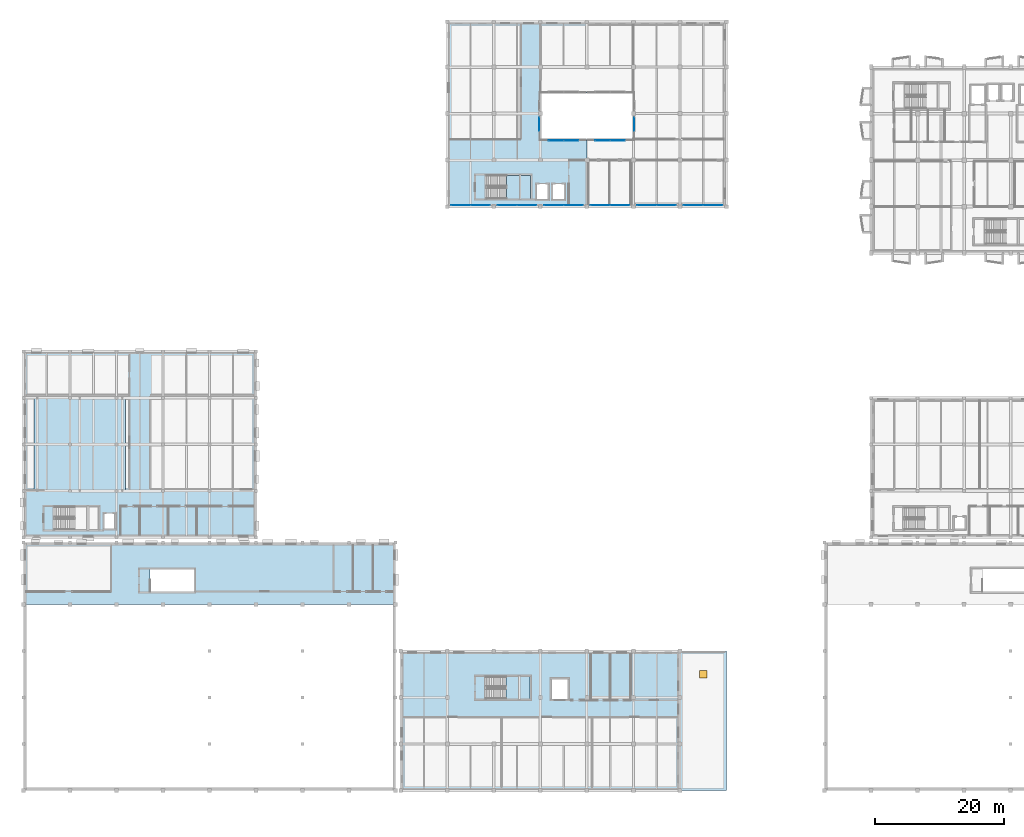
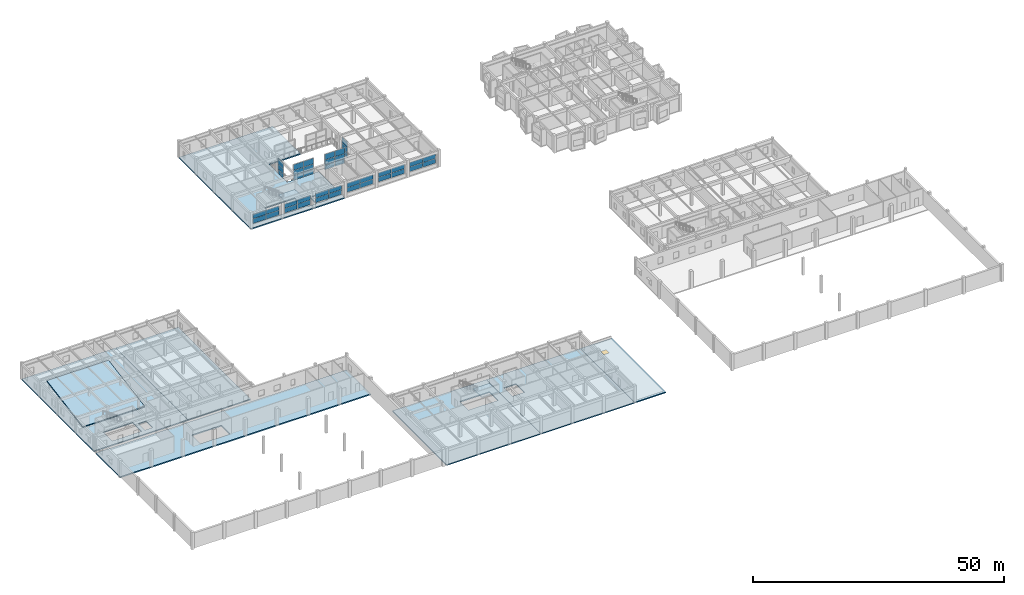
# One storey, part 23 of 49: 42 plates, 10 slabs, 1 window, 1 opening, 12 elements without a shape of their own.
"""IFC4 building model written with IfcOpenShell, lengths in metres."""

from ifc_helpers import new_model, si_unit, direction, frame, origin, origin_2d, place, context, subcontext, project, spatial, polyline, rectangle, outline, extrude, material, layer, layer_set, type_object, element, fill, aggregate, save


model = new_model("IFC4")

# Units and contexts
model_context = context("Model", 3, precision=1e-05, world=origin(), true_north=direction((0.0, 1.0)))
body_context = subcontext(model_context, "Body", "Model", "MODEL_VIEW")
ifc_project = project(units=[si_unit("LENGTHUNIT", "METRE"), si_unit("AREAUNIT", "SQUARE_METRE"), si_unit("VOLUMEUNIT", "CUBIC_METRE"), si_unit("PLANEANGLEUNIT", "RADIAN"), si_unit("MASSUNIT", "GRAM", prefix="KILO")], contexts=[model_context])

# Site, building, storey
site_placement = place(None, origin())
site = spatial("IfcSite", under=ifc_project, at=site_placement, CompositionType="ELEMENT")
building_placement = place(site_placement, origin())
building = spatial("IfcBuilding", under=site, at=building_placement, Name="Bramveld Media Centre", CompositionType="ELEMENT")
storey_placement = place(building_placement, frame((0.0, 0.0, 9.60009765625)))
storey = spatial("IfcBuildingStorey", under=building, at=storey_placement, Name="L02", CompositionType="ELEMENT", Elevation=9.60009765625)

# Curtain wall, plates
ifc_material_1 = material(Name="Thermally broken anodized bronze aluminium unitized curtain wall with solar-control triple glazing", Category="aluminium")
curtain_wall_type_1 = type_object("IfcCurtainWallType", Name="CW-FACV6-6100x2350", PredefinedType="NOTDEFINED", material=ifc_material_1)
curtain_wall_1_placement = place(storey_placement, origin())
curtain_wall_1 = element("IfcCurtainWall", 1, at=curtain_wall_1_placement, inside=storey, type_object=curtain_wall_type_1, Name="V6 L02 S curtain wall bay 1", PredefinedType="NOTDEFINED")
ifc_material_2 = material(Name="Solar-control triple insulating safety glass unit", Category="glass")
ifc_layer_1 = layer(ifc_material_2, 0.028076171875)
ifc_layer_set_1 = layer_set([ifc_layer_1], Name="Solar-control triple insulating safety glass unit")
plate_type_1 = type_object("IfcPlateType", Name="CW-PAN-EXT", PredefinedType="CURTAIN_PANEL", material=ifc_layer_set_1)
plate_1_placement = place(storey_placement, frame((67.68994140625, 90.610107421875, 0.909912109375), z_axis=(0.0, 0.0, 1.0), x_axis=(1.0, 0.0, 0.0)))
plate_1 = element("IfcPlate", 2, at=plate_1_placement, type_object=plate_type_1, Name="CW-FA-6123 panel 1.1", PredefinedType="CURTAIN_PANEL", context=body_context, shape_type="SweptSolid", body=[
    extrude(rectangle(XDim=2.9599609375, YDim=0.028076171875, at=origin_2d()), origin(), (0.0, 0.0, 1.0), 1.0849609375),
])
plate_2_placement = place(storey_placement, frame((67.68994140625, 90.610107421875, 2.054931640625), z_axis=(0.0, 0.0, 1.0), x_axis=(1.0, 0.0, 0.0)))
plate_2 = element("IfcPlate", 3, at=plate_2_placement, type_object=plate_type_1, Name="CW-FA-6123 panel 1.2", PredefinedType="CURTAIN_PANEL", context=body_context, shape_type="SweptSolid", body=[
    extrude(rectangle(XDim=2.9599609375, YDim=0.028076171875, at=origin_2d()), origin(), (0.0, 0.0, 1.0), 1.0849609375),
])
plate_3_placement = place(storey_placement, frame((70.7099609375, 90.610107421875, 0.909912109375), z_axis=(0.0, 0.0, 1.0), x_axis=(1.0, 0.0, 0.0)))
plate_3 = element("IfcPlate", 4, at=plate_3_placement, type_object=plate_type_1, Name="CW-FA-6123 panel 2.1", PredefinedType="CURTAIN_PANEL", context=body_context, shape_type="SweptSolid", body=[
    extrude(rectangle(XDim=2.9599609375, YDim=0.028076171875, at=origin_2d()), origin(), (0.0, 0.0, 1.0), 1.0849609375),
])
plate_4_placement = place(storey_placement, frame((70.7099609375, 90.610107421875, 2.054931640625), z_axis=(0.0, 0.0, 1.0), x_axis=(1.0, 0.0, 0.0)))
plate_4 = element("IfcPlate", 5, at=plate_4_placement, type_object=plate_type_1, Name="CW-FA-6123 panel 2.2", PredefinedType="CURTAIN_PANEL", context=body_context, shape_type="SweptSolid", body=[
    extrude(rectangle(XDim=2.9599609375, YDim=0.028076171875, at=origin_2d()), origin(), (0.0, 0.0, 1.0), 1.0849609375),
])
aggregate(curtain_wall_1, [plate_1, plate_2, plate_3, plate_4])

curtain_wall_2_placement = place(storey_placement, origin())
curtain_wall_2 = element("IfcCurtainWall", 6, at=curtain_wall_2_placement, inside=storey, type_object=curtain_wall_type_1, Name="V6 L02 S curtain wall bay 2", PredefinedType="NOTDEFINED")
plate_5_placement = place(storey_placement, frame((74.889892578125, 90.610107421875, 0.909912109375), z_axis=(0.0, 0.0, 1.0), x_axis=(1.0, 0.0, 0.0)))
plate_5 = element("IfcPlate", 7, at=plate_5_placement, type_object=plate_type_1, Name="CW-FA-6123 panel 1.1", PredefinedType="CURTAIN_PANEL", context=body_context, shape_type="SweptSolid", body=[
    extrude(rectangle(XDim=2.9599609375, YDim=0.028076171875, at=origin_2d()), origin(), (0.0, 0.0, 1.0), 1.0849609375),
])
plate_6_placement = place(storey_placement, frame((74.889892578125, 90.610107421875, 2.054931640625), z_axis=(0.0, 0.0, 1.0), x_axis=(1.0, 0.0, 0.0)))
plate_6 = element("IfcPlate", 8, at=plate_6_placement, type_object=plate_type_1, Name="CW-FA-6123 panel 1.2", PredefinedType="CURTAIN_PANEL", context=body_context, shape_type="SweptSolid", body=[
    extrude(rectangle(XDim=2.9599609375, YDim=0.028076171875, at=origin_2d()), origin(), (0.0, 0.0, 1.0), 1.0849609375),
])
plate_7_placement = place(storey_placement, frame((77.909912109375, 90.610107421875, 0.909912109375), z_axis=(0.0, 0.0, 1.0), x_axis=(1.0, 0.0, 0.0)))
plate_7 = element("IfcPlate", 9, at=plate_7_placement, type_object=plate_type_1, Name="CW-FA-6123 panel 2.1", PredefinedType="CURTAIN_PANEL", context=body_context, shape_type="SweptSolid", body=[
    extrude(rectangle(XDim=2.9599609375, YDim=0.028076171875, at=origin_2d()), origin(), (0.0, 0.0, 1.0), 1.0849609375),
])
plate_8_placement = place(storey_placement, frame((77.909912109375, 90.610107421875, 2.054931640625), z_axis=(0.0, 0.0, 1.0), x_axis=(1.0, 0.0, 0.0)))
plate_8 = element("IfcPlate", 10, at=plate_8_placement, type_object=plate_type_1, Name="CW-FA-6123 panel 2.2", PredefinedType="CURTAIN_PANEL", context=body_context, shape_type="SweptSolid", body=[
    extrude(rectangle(XDim=2.9599609375, YDim=0.028076171875, at=origin_2d()), origin(), (0.0, 0.0, 1.0), 1.0849609375),
])
aggregate(curtain_wall_2, [plate_5, plate_6, plate_7, plate_8])

curtain_wall_3_placement = place(storey_placement, origin())
curtain_wall_3 = element("IfcCurtainWall", 11, at=curtain_wall_3_placement, inside=storey, type_object=curtain_wall_type_1, Name="V6 L02 S curtain wall bay 3", PredefinedType="NOTDEFINED")
plate_9_placement = place(storey_placement, frame((82.090087890625, 90.610107421875, 0.909912109375), z_axis=(0.0, 0.0, 1.0), x_axis=(1.0, 0.0, 0.0)))
plate_9 = element("IfcPlate", 12, at=plate_9_placement, type_object=plate_type_1, Name="CW-FA-6123 panel 1.1", PredefinedType="CURTAIN_PANEL", context=body_context, shape_type="SweptSolid", body=[
    extrude(rectangle(XDim=2.9599609375, YDim=0.028076171875, at=origin_2d()), origin(), (0.0, 0.0, 1.0), 1.0849609375),
])
plate_10_placement = place(storey_placement, frame((82.090087890625, 90.610107421875, 2.054931640625), z_axis=(0.0, 0.0, 1.0), x_axis=(1.0, 0.0, 0.0)))
plate_10 = element("IfcPlate", 13, at=plate_10_placement, type_object=plate_type_1, Name="CW-FA-6123 panel 1.2", PredefinedType="CURTAIN_PANEL", context=body_context, shape_type="SweptSolid", body=[
    extrude(rectangle(XDim=2.9599609375, YDim=0.028076171875, at=origin_2d()), origin(), (0.0, 0.0, 1.0), 1.0849609375),
])
plate_11_placement = place(storey_placement, frame((85.110107421875, 90.610107421875, 0.909912109375), z_axis=(0.0, 0.0, 1.0), x_axis=(1.0, 0.0, 0.0)))
plate_11 = element("IfcPlate", 14, at=plate_11_placement, type_object=plate_type_1, Name="CW-FA-6123 panel 2.1", PredefinedType="CURTAIN_PANEL", context=body_context, shape_type="SweptSolid", body=[
    extrude(rectangle(XDim=2.9599609375, YDim=0.028076171875, at=origin_2d()), origin(), (0.0, 0.0, 1.0), 1.0849609375),
])
plate_12_placement = place(storey_placement, frame((85.110107421875, 90.610107421875, 2.054931640625), z_axis=(0.0, 0.0, 1.0), x_axis=(1.0, 0.0, 0.0)))
plate_12 = element("IfcPlate", 15, at=plate_12_placement, type_object=plate_type_1, Name="CW-FA-6123 panel 2.2", PredefinedType="CURTAIN_PANEL", context=body_context, shape_type="SweptSolid", body=[
    extrude(rectangle(XDim=2.9599609375, YDim=0.028076171875, at=origin_2d()), origin(), (0.0, 0.0, 1.0), 1.0849609375),
])
aggregate(curtain_wall_3, [plate_9, plate_10, plate_11, plate_12])

curtain_wall_4_placement = place(storey_placement, origin())
curtain_wall_4 = element("IfcCurtainWall", 16, at=curtain_wall_4_placement, inside=storey, type_object=curtain_wall_type_1, Name="V6 L02 S curtain wall bay 4", PredefinedType="NOTDEFINED")
plate_13_placement = place(storey_placement, frame((89.2900390625, 90.610107421875, 0.909912109375), z_axis=(0.0, 0.0, 1.0), x_axis=(1.0, 0.0, 0.0)))
plate_13 = element("IfcPlate", 17, at=plate_13_placement, type_object=plate_type_1, Name="CW-FA-6123 panel 1.1", PredefinedType="CURTAIN_PANEL", context=body_context, shape_type="SweptSolid", body=[
    extrude(rectangle(XDim=2.9599609375, YDim=0.028076171875, at=origin_2d()), origin(), (0.0, 0.0, 1.0), 1.0849609375),
])
plate_14_placement = place(storey_placement, frame((89.2900390625, 90.610107421875, 2.054931640625), z_axis=(0.0, 0.0, 1.0), x_axis=(1.0, 0.0, 0.0)))
plate_14 = element("IfcPlate", 18, at=plate_14_placement, type_object=plate_type_1, Name="CW-FA-6123 panel 1.2", PredefinedType="CURTAIN_PANEL", context=body_context, shape_type="SweptSolid", body=[
    extrude(rectangle(XDim=2.9599609375, YDim=0.028076171875, at=origin_2d()), origin(), (0.0, 0.0, 1.0), 1.0849609375),
])
plate_15_placement = place(storey_placement, frame((92.31005859375, 90.610107421875, 0.909912109375), z_axis=(0.0, 0.0, 1.0), x_axis=(1.0, 0.0, 0.0)))
plate_15 = element("IfcPlate", 19, at=plate_15_placement, type_object=plate_type_1, Name="CW-FA-6123 panel 2.1", PredefinedType="CURTAIN_PANEL", context=body_context, shape_type="SweptSolid", body=[
    extrude(rectangle(XDim=2.9599609375, YDim=0.028076171875, at=origin_2d()), origin(), (0.0, 0.0, 1.0), 1.0849609375),
])
plate_16_placement = place(storey_placement, frame((92.31005859375, 90.610107421875, 2.054931640625), z_axis=(0.0, 0.0, 1.0), x_axis=(1.0, 0.0, 0.0)))
plate_16 = element("IfcPlate", 20, at=plate_16_placement, type_object=plate_type_1, Name="CW-FA-6123 panel 2.2", PredefinedType="CURTAIN_PANEL", context=body_context, shape_type="SweptSolid", body=[
    extrude(rectangle(XDim=2.9599609375, YDim=0.028076171875, at=origin_2d()), origin(), (0.0, 0.0, 1.0), 1.0849609375),
])
aggregate(curtain_wall_4, [plate_13, plate_14, plate_15, plate_16])

curtain_wall_5_placement = place(storey_placement, origin())
curtain_wall_5 = element("IfcCurtainWall", 21, at=curtain_wall_5_placement, inside=storey, type_object=curtain_wall_type_1, Name="V6 L02 S curtain wall bay 5", PredefinedType="NOTDEFINED")
plate_17_placement = place(storey_placement, frame((96.489990234375, 90.610107421875, 0.909912109375), z_axis=(0.0, 0.0, 1.0), x_axis=(1.0, 0.0, 0.0)))
plate_17 = element("IfcPlate", 22, at=plate_17_placement, type_object=plate_type_1, Name="CW-FA-6123 panel 1.1", PredefinedType="CURTAIN_PANEL", context=body_context, shape_type="SweptSolid", body=[
    extrude(rectangle(XDim=2.9599609375, YDim=0.028076171875, at=origin_2d()), origin(), (0.0, 0.0, 1.0), 1.0849609375),
])
plate_18_placement = place(storey_placement, frame((96.489990234375, 90.610107421875, 2.054931640625), z_axis=(0.0, 0.0, 1.0), x_axis=(1.0, 0.0, 0.0)))
plate_18 = element("IfcPlate", 23, at=plate_18_placement, type_object=plate_type_1, Name="CW-FA-6123 panel 1.2", PredefinedType="CURTAIN_PANEL", context=body_context, shape_type="SweptSolid", body=[
    extrude(rectangle(XDim=2.9599609375, YDim=0.028076171875, at=origin_2d()), origin(), (0.0, 0.0, 1.0), 1.0849609375),
])
plate_19_placement = place(storey_placement, frame((99.510009765625, 90.610107421875, 0.909912109375), z_axis=(0.0, 0.0, 1.0), x_axis=(1.0, 0.0, 0.0)))
plate_19 = element("IfcPlate", 24, at=plate_19_placement, type_object=plate_type_1, Name="CW-FA-6123 panel 2.1", PredefinedType="CURTAIN_PANEL", context=body_context, shape_type="SweptSolid", body=[
    extrude(rectangle(XDim=2.9599609375, YDim=0.028076171875, at=origin_2d()), origin(), (0.0, 0.0, 1.0), 1.0849609375),
])
plate_20_placement = place(storey_placement, frame((99.510009765625, 90.610107421875, 2.054931640625), z_axis=(0.0, 0.0, 1.0), x_axis=(1.0, 0.0, 0.0)))
plate_20 = element("IfcPlate", 25, at=plate_20_placement, type_object=plate_type_1, Name="CW-FA-6123 panel 2.2", PredefinedType="CURTAIN_PANEL", context=body_context, shape_type="SweptSolid", body=[
    extrude(rectangle(XDim=2.9599609375, YDim=0.028076171875, at=origin_2d()), origin(), (0.0, 0.0, 1.0), 1.0849609375),
])
aggregate(curtain_wall_5, [plate_17, plate_18, plate_19, plate_20])

curtain_wall_6_placement = place(storey_placement, origin())
curtain_wall_6 = element("IfcCurtainWall", 26, at=curtain_wall_6_placement, inside=storey, type_object=curtain_wall_type_1, Name="V6 L02 S curtain wall bay 6", PredefinedType="NOTDEFINED")
plate_21_placement = place(storey_placement, frame((103.68994140625, 90.610107421875, 0.909912109375), z_axis=(0.0, 0.0, 1.0), x_axis=(1.0, 0.0, 0.0)))
plate_21 = element("IfcPlate", 27, at=plate_21_placement, type_object=plate_type_1, Name="CW-FA-6123 panel 1.1", PredefinedType="CURTAIN_PANEL", context=body_context, shape_type="SweptSolid", body=[
    extrude(rectangle(XDim=2.9599609375, YDim=0.028076171875, at=origin_2d()), origin(), (0.0, 0.0, 1.0), 1.0849609375),
])
plate_22_placement = place(storey_placement, frame((103.68994140625, 90.610107421875, 2.054931640625), z_axis=(0.0, 0.0, 1.0), x_axis=(1.0, 0.0, 0.0)))
plate_22 = element("IfcPlate", 28, at=plate_22_placement, type_object=plate_type_1, Name="CW-FA-6123 panel 1.2", PredefinedType="CURTAIN_PANEL", context=body_context, shape_type="SweptSolid", body=[
    extrude(rectangle(XDim=2.9599609375, YDim=0.028076171875, at=origin_2d()), origin(), (0.0, 0.0, 1.0), 1.0849609375),
])
plate_23_placement = place(storey_placement, frame((106.7099609375, 90.610107421875, 0.909912109375), z_axis=(0.0, 0.0, 1.0), x_axis=(1.0, 0.0, 0.0)))
plate_23 = element("IfcPlate", 29, at=plate_23_placement, type_object=plate_type_1, Name="CW-FA-6123 panel 2.1", PredefinedType="CURTAIN_PANEL", context=body_context, shape_type="SweptSolid", body=[
    extrude(rectangle(XDim=2.9599609375, YDim=0.028076171875, at=origin_2d()), origin(), (0.0, 0.0, 1.0), 1.0849609375),
])
plate_24_placement = place(storey_placement, frame((106.7099609375, 90.610107421875, 2.054931640625), z_axis=(0.0, 0.0, 1.0), x_axis=(1.0, 0.0, 0.0)))
plate_24 = element("IfcPlate", 30, at=plate_24_placement, type_object=plate_type_1, Name="CW-FA-6123 panel 2.2", PredefinedType="CURTAIN_PANEL", context=body_context, shape_type="SweptSolid", body=[
    extrude(rectangle(XDim=2.9599609375, YDim=0.028076171875, at=origin_2d()), origin(), (0.0, 0.0, 1.0), 1.0849609375),
])
aggregate(curtain_wall_6, [plate_21, plate_22, plate_23, plate_24])

ifc_material_3 = material(Name="Thermally broken anodized bronze aluminium unitized curtain wall with solar-control triple glazing", Category="aluminium")
curtain_wall_type_2 = type_object("IfcCurtainWallType", Name="CW-ATR-4700x3880", PredefinedType="NOTDEFINED", material=ifc_material_3)
curtain_wall_7_placement = place(storey_placement, origin())
curtain_wall_7 = element("IfcCurtainWall", 31, at=curtain_wall_7_placement, inside=storey, type_object=curtain_wall_type_2, Name="V6 L02 atrium acoustic screen S1-1", PredefinedType="NOTDEFINED")
ifc_material_4 = material(Name="Laminated acoustic safety glass panel", Category="glass")
ifc_layer_2 = layer(ifc_material_4, 0.028076171875)
ifc_layer_set_2 = layer_set([ifc_layer_2], Name="Laminated acoustic safety glass panel")
plate_type_2 = type_object("IfcPlateType", Name="CW-PAN-INT", PredefinedType="CURTAIN_PANEL", material=ifc_layer_set_2)
plate_25_placement = place(storey_placement, frame((82.43994140625, 100.64990234375, 0.059814453125), z_axis=(0.0, 0.0, 1.0), x_axis=(1.0, 0.0, 0.0)))
plate_25 = element("IfcPlate", 32, at=plate_25_placement, type_object=plate_type_2, Name="CW-AT-4738 panel 1.1", PredefinedType="CURTAIN_PANEL", context=body_context, shape_type="SweptSolid", body=[
    extrude(rectangle(XDim=2.260009765625, YDim=0.028076171875, at=origin_2d()), origin(), (0.0, 0.0, 1.0), 1.06005859375),
])
plate_26_placement = place(storey_placement, frame((82.43994140625, 100.64990234375, 1.1796875), z_axis=(0.0, 0.0, 1.0), x_axis=(1.0, 0.0, 0.0)))
plate_26 = element("IfcPlate", 33, at=plate_26_placement, type_object=plate_type_2, Name="CW-AT-4738 panel 1.2", PredefinedType="CURTAIN_PANEL", context=body_context, shape_type="SweptSolid", body=[
    extrude(rectangle(XDim=2.260009765625, YDim=0.028076171875, at=origin_2d()), origin(), (0.0, 0.0, 1.0), 1.196044921875),
])
plate_27_placement = place(storey_placement, frame((82.43994140625, 100.64990234375, 2.43603515625), z_axis=(0.0, 0.0, 1.0), x_axis=(1.0, 0.0, 0.0)))
plate_27 = element("IfcPlate", 34, at=plate_27_placement, type_object=plate_type_2, Name="CW-AT-4738 panel 1.3", PredefinedType="CURTAIN_PANEL", context=body_context, shape_type="SweptSolid", body=[
    extrude(rectangle(XDim=2.260009765625, YDim=0.028076171875, at=origin_2d()), origin(), (0.0, 0.0, 1.0), 1.384033203125),
])
plate_28_placement = place(storey_placement, frame((84.760009765625, 100.64990234375, 0.059814453125), z_axis=(0.0, 0.0, 1.0), x_axis=(1.0, 0.0, 0.0)))
plate_28 = element("IfcPlate", 35, at=plate_28_placement, type_object=plate_type_2, Name="CW-AT-4738 panel 2.1", PredefinedType="CURTAIN_PANEL", context=body_context, shape_type="SweptSolid", body=[
    extrude(rectangle(XDim=2.260009765625, YDim=0.028076171875, at=origin_2d()), origin(), (0.0, 0.0, 1.0), 1.06005859375),
])
plate_29_placement = place(storey_placement, frame((84.760009765625, 100.64990234375, 1.1796875), z_axis=(0.0, 0.0, 1.0), x_axis=(1.0, 0.0, 0.0)))
plate_29 = element("IfcPlate", 36, at=plate_29_placement, type_object=plate_type_2, Name="CW-AT-4738 panel 2.2", PredefinedType="CURTAIN_PANEL", context=body_context, shape_type="SweptSolid", body=[
    extrude(rectangle(XDim=2.260009765625, YDim=0.028076171875, at=origin_2d()), origin(), (0.0, 0.0, 1.0), 1.196044921875),
])
plate_30_placement = place(storey_placement, frame((84.760009765625, 100.64990234375, 2.43603515625), z_axis=(0.0, 0.0, 1.0), x_axis=(1.0, 0.0, 0.0)))
plate_30 = element("IfcPlate", 37, at=plate_30_placement, type_object=plate_type_2, Name="CW-AT-4738 panel 2.3", PredefinedType="CURTAIN_PANEL", context=body_context, shape_type="SweptSolid", body=[
    extrude(rectangle(XDim=2.260009765625, YDim=0.028076171875, at=origin_2d()), origin(), (0.0, 0.0, 1.0), 1.384033203125),
])
aggregate(curtain_wall_7, [plate_25, plate_26, plate_27, plate_28, plate_29, plate_30])

curtain_wall_8_placement = place(storey_placement, origin())
curtain_wall_8 = element("IfcCurtainWall", 38, at=curtain_wall_8_placement, inside=storey, type_object=curtain_wall_type_2, Name="V6 L02 atrium acoustic screen S2-1", PredefinedType="NOTDEFINED")
plate_31_placement = place(storey_placement, frame((89.639892578125, 100.64990234375, 0.059814453125), z_axis=(0.0, 0.0, 1.0), x_axis=(1.0, 0.0, 0.0)))
plate_31 = element("IfcPlate", 39, at=plate_31_placement, type_object=plate_type_2, Name="CW-AT-4738 panel 1.1", PredefinedType="CURTAIN_PANEL", context=body_context, shape_type="SweptSolid", body=[
    extrude(rectangle(XDim=2.260009765625, YDim=0.028076171875, at=origin_2d()), origin(), (0.0, 0.0, 1.0), 1.06005859375),
])
plate_32_placement = place(storey_placement, frame((89.639892578125, 100.64990234375, 1.1796875), z_axis=(0.0, 0.0, 1.0), x_axis=(1.0, 0.0, 0.0)))
plate_32 = element("IfcPlate", 40, at=plate_32_placement, type_object=plate_type_2, Name="CW-AT-4738 panel 1.2", PredefinedType="CURTAIN_PANEL", context=body_context, shape_type="SweptSolid", body=[
    extrude(rectangle(XDim=2.260009765625, YDim=0.028076171875, at=origin_2d()), origin(), (0.0, 0.0, 1.0), 1.196044921875),
])
plate_33_placement = place(storey_placement, frame((89.639892578125, 100.64990234375, 2.43603515625), z_axis=(0.0, 0.0, 1.0), x_axis=(1.0, 0.0, 0.0)))
plate_33 = element("IfcPlate", 41, at=plate_33_placement, type_object=plate_type_2, Name="CW-AT-4738 panel 1.3", PredefinedType="CURTAIN_PANEL", context=body_context, shape_type="SweptSolid", body=[
    extrude(rectangle(XDim=2.260009765625, YDim=0.028076171875, at=origin_2d()), origin(), (0.0, 0.0, 1.0), 1.384033203125),
])
plate_34_placement = place(storey_placement, frame((91.9599609375, 100.64990234375, 0.059814453125), z_axis=(0.0, 0.0, 1.0), x_axis=(1.0, 0.0, 0.0)))
plate_34 = element("IfcPlate", 42, at=plate_34_placement, type_object=plate_type_2, Name="CW-AT-4738 panel 2.1", PredefinedType="CURTAIN_PANEL", context=body_context, shape_type="SweptSolid", body=[
    extrude(rectangle(XDim=2.260009765625, YDim=0.028076171875, at=origin_2d()), origin(), (0.0, 0.0, 1.0), 1.06005859375),
])
plate_35_placement = place(storey_placement, frame((91.9599609375, 100.64990234375, 1.1796875), z_axis=(0.0, 0.0, 1.0), x_axis=(1.0, 0.0, 0.0)))
plate_35 = element("IfcPlate", 43, at=plate_35_placement, type_object=plate_type_2, Name="CW-AT-4738 panel 2.2", PredefinedType="CURTAIN_PANEL", context=body_context, shape_type="SweptSolid", body=[
    extrude(rectangle(XDim=2.260009765625, YDim=0.028076171875, at=origin_2d()), origin(), (0.0, 0.0, 1.0), 1.196044921875),
])
plate_36_placement = place(storey_placement, frame((91.9599609375, 100.64990234375, 2.43603515625), z_axis=(0.0, 0.0, 1.0), x_axis=(1.0, 0.0, 0.0)))
plate_36 = element("IfcPlate", 44, at=plate_36_placement, type_object=plate_type_2, Name="CW-AT-4738 panel 2.3", PredefinedType="CURTAIN_PANEL", context=body_context, shape_type="SweptSolid", body=[
    extrude(rectangle(XDim=2.260009765625, YDim=0.028076171875, at=origin_2d()), origin(), (0.0, 0.0, 1.0), 1.384033203125),
])
aggregate(curtain_wall_8, [plate_31, plate_32, plate_33, plate_34, plate_35, plate_36])

ifc_material_5 = material(Name="Thermally broken anodized bronze aluminium unitized curtain wall with solar-control triple glazing", Category="aluminium")
curtain_wall_type_3 = type_object("IfcCurtainWallType", Name="CW-ATR-2200x3880", PredefinedType="NOTDEFINED", material=ifc_material_5)
curtain_wall_9_placement = place(storey_placement, origin())
curtain_wall_9 = element("IfcCurtainWall", 45, at=curtain_wall_9_placement, inside=storey, type_object=curtain_wall_type_3, Name="V6 L02 atrium acoustic screen W-1", PredefinedType="NOTDEFINED")
plate_37_placement = place(storey_placement, frame((79.85009765625, 103.14990234375, 0.059814453125), z_axis=(0.0, 0.0, 1.0), x_axis=(0.0, 1.0, 0.0)))
plate_37 = element("IfcPlate", 46, at=plate_37_placement, type_object=plate_type_2, Name="CW-AT-2238 panel 1.1", PredefinedType="CURTAIN_PANEL", context=body_context, shape_type="SweptSolid", body=[
    extrude(rectangle(XDim=2.080078125, YDim=0.028076171875, at=origin_2d()), origin(), (0.0, 0.0, 1.0), 1.06005859375),
])
plate_38_placement = place(storey_placement, frame((79.85009765625, 103.14990234375, 1.1796875), z_axis=(0.0, 0.0, 1.0), x_axis=(0.0, 1.0, 0.0)))
plate_38 = element("IfcPlate", 47, at=plate_38_placement, type_object=plate_type_2, Name="CW-AT-2238 panel 1.2", PredefinedType="CURTAIN_PANEL", context=body_context, shape_type="SweptSolid", body=[
    extrude(rectangle(XDim=2.080078125, YDim=0.028076171875, at=origin_2d()), origin(), (0.0, 0.0, 1.0), 1.196044921875),
])
plate_39_placement = place(storey_placement, frame((79.85009765625, 103.14990234375, 2.43603515625), z_axis=(0.0, 0.0, 1.0), x_axis=(0.0, 1.0, 0.0)))
plate_39 = element("IfcPlate", 48, at=plate_39_placement, type_object=plate_type_2, Name="CW-AT-2238 panel 1.3", PredefinedType="CURTAIN_PANEL", context=body_context, shape_type="SweptSolid", body=[
    extrude(rectangle(XDim=2.080078125, YDim=0.028076171875, at=origin_2d()), origin(), (0.0, 0.0, 1.0), 1.384033203125),
])
aggregate(curtain_wall_9, [plate_37, plate_38, plate_39])

curtain_wall_10_placement = place(storey_placement, origin())
curtain_wall_10 = element("IfcCurtainWall", 49, at=curtain_wall_10_placement, inside=storey, type_object=curtain_wall_type_3, Name="V6 L02 atrium acoustic screen E-1", PredefinedType="NOTDEFINED")
plate_40_placement = place(storey_placement, frame((94.550048828125, 103.14990234375, 0.059814453125), z_axis=(0.0, 0.0, 1.0), x_axis=(0.0, 1.0, 0.0)))
plate_40 = element("IfcPlate", 50, at=plate_40_placement, type_object=plate_type_2, Name="CW-AT-2238 panel 1.1", PredefinedType="CURTAIN_PANEL", context=body_context, shape_type="SweptSolid", body=[
    extrude(rectangle(XDim=2.080078125, YDim=0.028076171875, at=origin_2d()), origin(), (0.0, 0.0, 1.0), 1.06005859375),
])
plate_41_placement = place(storey_placement, frame((94.550048828125, 103.14990234375, 1.1796875), z_axis=(0.0, 0.0, 1.0), x_axis=(0.0, 1.0, 0.0)))
plate_41 = element("IfcPlate", 51, at=plate_41_placement, type_object=plate_type_2, Name="CW-AT-2238 panel 1.2", PredefinedType="CURTAIN_PANEL", context=body_context, shape_type="SweptSolid", body=[
    extrude(rectangle(XDim=2.080078125, YDim=0.028076171875, at=origin_2d()), origin(), (0.0, 0.0, 1.0), 1.196044921875),
])
plate_42_placement = place(storey_placement, frame((94.550048828125, 103.14990234375, 2.43603515625), z_axis=(0.0, 0.0, 1.0), x_axis=(0.0, 1.0, 0.0)))
plate_42 = element("IfcPlate", 52, at=plate_42_placement, type_object=plate_type_2, Name="CW-AT-2238 panel 1.3", PredefinedType="CURTAIN_PANEL", context=body_context, shape_type="SweptSolid", body=[
    extrude(rectangle(XDim=2.080078125, YDim=0.028076171875, at=origin_2d()), origin(), (0.0, 0.0, 1.0), 1.384033203125),
])
aggregate(curtain_wall_10, [plate_40, plate_41, plate_42])

# Slab, opening, window
ifc_material_6 = material(Name="Concrete C40/50", Category="concrete")
ifc_layer_3 = layer(ifc_material_6, 0.239990234375)
ifc_layer_set_3 = layer_set([ifc_layer_3], Name="Concrete C40/50")
slab_type_1 = type_object("IfcSlabType", Name="ROOF-SLAB-240-07", PredefinedType="ROOF", material=ifc_layer_set_3)
slab_1_placement = place(storey_placement, frame((0.0, 0.0, -0.239990234375)))
slab_1 = element("IfcSlab", 53, at=slab_1_placement, inside=storey, type_object=slab_type_1, Name="V5 L02 flat roof slab", PredefinedType="ROOF", context=body_context, shape_type="SweptSolid", body=[
    extrude(outline(polyline([(101.60009765625, 0.0), (108.800048828125, 0.0), (108.800048828125, 21.60009765625), (101.60009765625, 21.60009765625), (101.60009765625, 0.0)])), origin(), (0.0, 0.0, 1.0), 0.239990234375),
])
opening_placement = place(slab_1_placement, frame((105.199951171875, 18.0, 0.0)))
opening = element("IfcOpeningElement", 54, at=opening_placement, cuts=slab_1, Name="Opening SK-01", PredefinedType="OPENING", context=body_context, shape_type="SweptSolid", body=[
    extrude(rectangle(XDim=1.199951171875, YDim=1.199951171875, at=origin_2d()), origin(), (0.0, 0.0, 1.0), 0.239990234375),
])
ifc_material_7 = material(Name="Insulated aluminium smoke-ventilation & maintenance roof skylight hatch", Category="aluminium")
window_type = type_object("IfcWindowType", Name="SKY-HATCH-01", PartitioningType="SINGLE_PANEL", PredefinedType="SKYLIGHT", material=ifc_material_7)
window_placement = place(opening_placement, frame((0.0, 0.0, 0.18994140625)))
window = element("IfcWindow", 55, at=window_placement, inside=storey, type_object=window_type, Name="Roof maintenance & smoke-vent skylight hatch 6", OverallHeight=1.199951171875, OverallWidth=1.199951171875, PartitioningType="SINGLE_PANEL", PredefinedType="SKYLIGHT", context=body_context, shape_type="SweptSolid", body=[
    extrude(rectangle(XDim=1.199951171875, YDim=1.199951171875, at=origin_2d()), origin(), (0.0, 0.0, 1.0), 0.050048828125),
])
fill(opening, window)

# Slabs
ifc_material_8 = material(Name="Concrete C40/50", Category="concrete")
ifc_layer_4 = layer(ifc_material_8, 0.25)
ifc_layer_set_4 = layer_set([ifc_layer_4], Name="Concrete C40/50")
slab_type_2 = type_object("IfcSlabType", Name="SLAB-FLOOR-INT-250", PredefinedType="FLOOR", material=ifc_layer_set_4)
slab_2_placement = place(storey_placement, frame((0.0, 0.0, -0.25)))
element("IfcSlab", 56, at=slab_2_placement, inside=storey, type_object=slab_type_2, Name="V5 L02 structural slab 1", PredefinedType="FLOOR", context=body_context, shape_type="SweptSolid", body=[
    extrude(outline(polyline([(58.39990234375, 21.60009765625), (80.0, 21.60009765625), (80.0, 0.0), (58.39990234375, 0.0), (58.39990234375, 21.60009765625)]), holes=[polyline([(71.60009765625, 14.199951171875), (78.39990234375, 14.199951171875), (78.39990234375, 17.64990234375), (71.60009765625, 17.64990234375), (71.60009765625, 14.199951171875)])]), origin(), (0.0, 0.0, 1.0), 0.25),
])
slab_3_placement = place(storey_placement, frame((0.0, 0.0, -0.25)))
element("IfcSlab", 57, at=slab_3_placement, inside=storey, type_object=slab_type_2, Name="V5 L02 structural slab 2", PredefinedType="FLOOR", context=body_context, shape_type="SweptSolid", body=[
    extrude(outline(polyline([(101.60009765625, 0.0), (80.0, 0.0), (80.0, 21.60009765625), (101.60009765625, 21.60009765625), (101.60009765625, 0.0)]), holes=[polyline([(84.39990234375, 14.0), (84.39990234375, 17.39990234375), (81.60009765625, 17.39990234375), (81.60009765625, 14.0), (84.39990234375, 14.0)])]), origin(), (0.0, 0.0, 1.0), 0.25),
])
ifc_material_9 = material(Name="Concrete C40/50", Category="concrete")
ifc_layer_5 = layer(ifc_material_9, 0.260009765625)
ifc_layer_set_5 = layer_set([ifc_layer_5], Name="Concrete C40/50")
slab_type_3 = type_object("IfcSlabType", Name="SLAB-FLOOR-INT-260", PredefinedType="FLOOR", material=ifc_layer_set_5)
slab_4_placement = place(storey_placement, frame((0.0, 0.0, -0.260009765625)))
element("IfcSlab", 58, at=slab_4_placement, inside=storey, type_object=slab_type_3, Name="V3 L02 structural slab 1", PredefinedType="FLOOR", context=body_context, shape_type="SweptSolid", body=[
    extrude(outline(polyline([(0.0, 68.0), (21.60009765625, 68.0), (21.60009765625, 39.199951171875), (0.0, 39.199951171875), (0.0, 68.0)]), holes=[polyline([(14.199951171875, 40.39990234375), (14.199951171875, 43.0), (12.39990234375, 43.0), (12.39990234375, 40.39990234375), (14.199951171875, 40.39990234375)]), polyline([(4.85009765625, 40.39990234375), (11.60009765625, 40.39990234375), (11.60009765625, 43.949951171875), (4.85009765625, 43.949951171875), (4.85009765625, 40.39990234375)])]), origin(), (0.0, 0.0, 1.0), 0.260009765625),
])
slab_5_placement = place(storey_placement, frame((0.0, 0.0, -0.260009765625)))
element("IfcSlab", 59, at=slab_5_placement, inside=storey, type_object=slab_type_3, Name="V3 L02 structural slab 2", PredefinedType="FLOOR", context=body_context, shape_type="SweptSolid", body=[
    extrude(outline(polyline([(36.0, 39.199951171875), (21.60009765625, 39.199951171875), (21.60009765625, 68.0), (36.0, 68.0), (36.0, 39.199951171875)])), origin(), (0.0, 0.0, 1.0), 0.260009765625),
])
ifc_material_10 = material(Name="Concrete C40/50", Category="concrete")
ifc_layer_6 = layer(ifc_material_10, 0.280029296875)
ifc_layer_set_6 = layer_set([ifc_layer_6], Name="Concrete C40/50")
slab_type_4 = type_object("IfcSlabType", Name="SLAB-FLOOR-INT-280", PredefinedType="FLOOR", material=ifc_layer_set_6)
slab_6_placement = place(storey_placement, frame((0.0, 0.0, -0.280029296875)))
element("IfcSlab", 60, at=slab_6_placement, inside=storey, type_object=slab_type_4, Name="V2 L02 structural slab 1", PredefinedType="FLOOR", context=body_context, shape_type="SweptSolid", body=[
    extrude(outline(polyline([(0.0, 38.39990234375), (57.60009765625, 38.39990234375), (57.60009765625, 28.800048828125), (0.0, 28.800048828125), (0.0, 38.39990234375)]), holes=[polyline([(26.39990234375, 30.800048828125), (26.39990234375, 34.25), (19.60009765625, 34.25), (19.60009765625, 30.800048828125), (26.39990234375, 30.800048828125)])]), origin(), (0.0, 0.0, 1.0), 0.280029296875),
])
slab_7_placement = place(storey_placement, frame((0.0, 0.0, -0.280029296875)))
element("IfcSlab", 61, at=slab_7_placement, inside=storey, type_object=slab_type_4, Name="V6 L02 structural slab 1", PredefinedType="FLOOR", context=body_context, shape_type="SweptSolid", body=[
    extrude(outline(polyline([(65.60009765625, 119.0), (87.199951171875, 119.0), (87.199951171875, 108.0), (80.0, 108.0), (80.0, 100.800048828125), (87.199951171875, 100.800048828125), (87.199951171875, 90.39990234375), (65.60009765625, 90.39990234375), (65.60009765625, 119.0)]), holes=[polyline([(79.300048828125, 91.39990234375), (81.300048828125, 91.39990234375), (81.300048828125, 94.0), (79.300048828125, 94.0), (79.300048828125, 91.39990234375)]), polyline([(81.800048828125, 91.39990234375), (83.800048828125, 91.39990234375), (83.800048828125, 94.0), (81.800048828125, 94.0), (81.800048828125, 91.39990234375)]), polyline([(71.699951171875, 95.25), (71.699951171875, 91.60009765625), (78.5, 91.60009765625), (78.5, 95.25), (71.699951171875, 95.25)])]), origin(), (0.0, 0.0, 1.0), 0.280029296875),
])

# Stair, slab
ifc_material_11 = material(Name="Concrete C40/50", Category="concrete")
stair_type_1 = type_object("IfcStairType", Name="STAIR-ST-06-24R-1600", PredefinedType="HALF_TURN_STAIR", material=ifc_material_11)
stair_1_placement = place(storey_placement, origin())
stair_1 = element("IfcStair", 62, at=stair_1_placement, inside=storey, type_object=stair_type_1, Name="L02 Mediatheque & Vault Wing Stair", PredefinedType="HALF_TURN_STAIR")
ifc_material_12 = material(Name="Concrete C40/50", Category="concrete")
ifc_layer_7 = layer(ifc_material_12, 0.199951171875)
ifc_layer_set_7 = layer_set([ifc_layer_7], Name="Concrete C40/50")
slab_type_5 = type_object("IfcSlabType", Name="SLAB-STAIR-LAND-200", PredefinedType="LANDING", material=ifc_layer_set_7)
slab_8_placement = place(storey_placement, frame((0.0, 0.0, 1.89990234375)))
slab_8 = element("IfcSlab", 63, at=slab_8_placement, type_object=slab_type_5, Name="ST-06 landing 1", PredefinedType="LANDING", context=body_context, shape_type="SweptSolid", body=[
    extrude(outline(polyline([(74.679931640625, 14.199951171875), (78.39990234375, 14.199951171875), (78.39990234375, 17.64990234375), (74.679931640625, 17.64990234375), (74.679931640625, 14.199951171875)])), origin(), (0.0, 0.0, 1.0), 0.199951171875),
])
aggregate(stair_1, [slab_8])

ifc_material_13 = material(Name="Concrete C40/50", Category="concrete")
stair_type_2 = type_object("IfcStairType", Name="STAIR-ST-07-24R-1700", PredefinedType="HALF_TURN_STAIR", material=ifc_material_13)
stair_2_placement = place(storey_placement, origin())
stair_2 = element("IfcStair", 64, at=stair_2_placement, inside=storey, type_object=stair_type_2, Name="L02 Exhibition & Sound Lab Primary Stair", PredefinedType="HALF_TURN_STAIR")
slab_9_placement = place(storey_placement, frame((0.0, 0.0, 1.89990234375)))
slab_9 = element("IfcSlab", 65, at=slab_9_placement, type_object=slab_type_5, Name="ST-07 landing 1", PredefinedType="LANDING", context=body_context, shape_type="SweptSolid", body=[
    extrude(outline(polyline([(74.780029296875, 91.60009765625), (78.5, 91.60009765625), (78.5, 95.25), (74.780029296875, 95.25), (74.780029296875, 91.60009765625)])), origin(), (0.0, 0.0, 1.0), 0.199951171875),
])
aggregate(stair_2, [slab_9])

# Slab
ifc_material_14 = material(Name="Concrete C40/50", Category="concrete")
ifc_layer_8 = layer(ifc_material_14, 0.239990234375)
ifc_layer_set_8 = layer_set([ifc_layer_8], Name="Concrete C40/50")
slab_type_6 = type_object("IfcSlabType", Name="SLAB-TIER-INT-240", PredefinedType="USERDEFINED", material=ifc_layer_set_8)
slab_10_placement = place(storey_placement, frame((1.60009765625, 46.39990234375, 0.949951171875), z_axis=(0.0, -0.171050729249, 0.985262222976), x_axis=(1.0, 0.0, 0.0)))
element("IfcSlab", 66, at=slab_10_placement, inside=storey, type_object=slab_type_6, Name="Screen 5 Raked Seating Slab", ObjectType="SEATING TIER", PredefinedType="USERDEFINED", context=body_context, shape_type="SweptSolid", body=[
    extrude(outline(polyline([(0.0, 0.0), (14.199951171875, 0.0), (14.199951171875, 14.61554715949621), (0.0, 14.61554715949621), (0.0, 0.0)])), origin(), (0.0, 0.0, -1.0), 0.239990234375),
])

save(model, "model.ifc")
